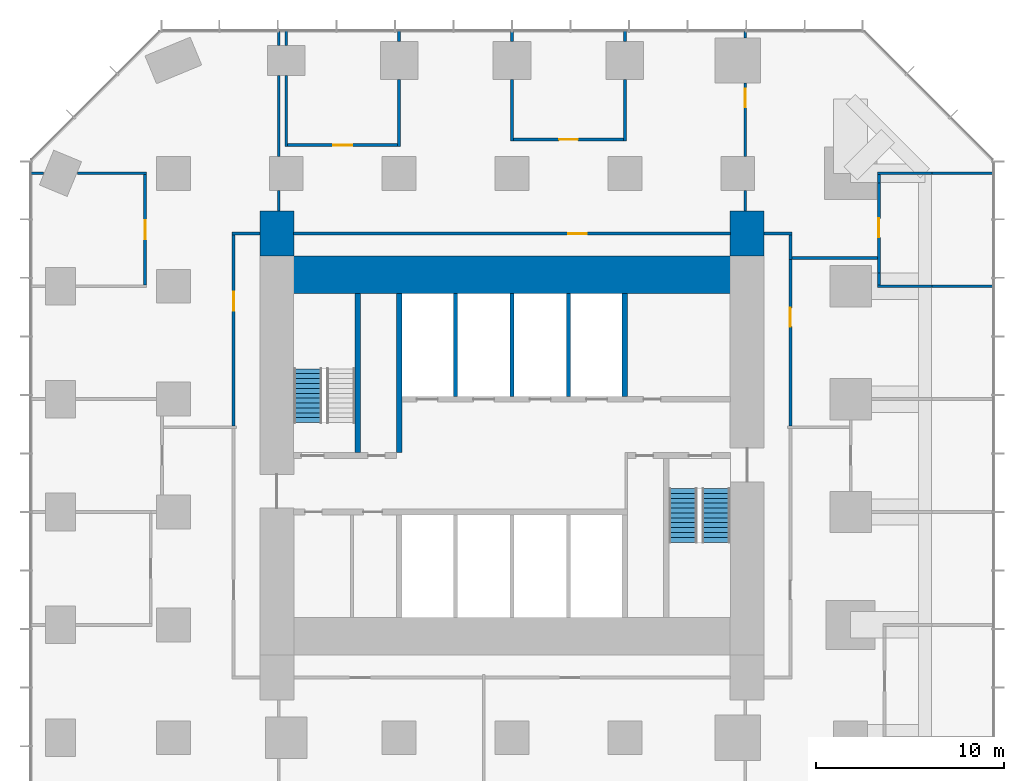
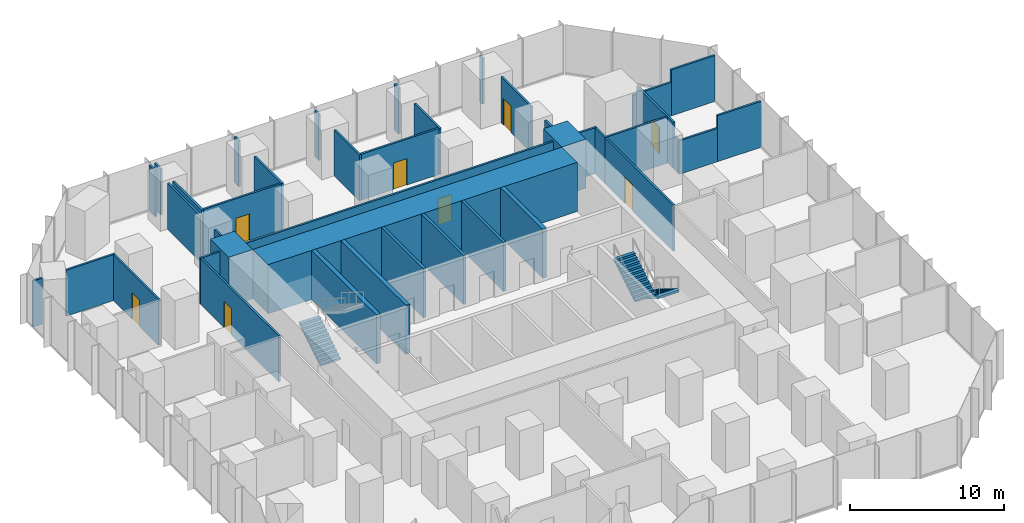
# One storey, part 10 of 12: 42 walls, 8 doors, 3 stair flights, 8 openings, 2 elements without a shape of their own.
"""IFC4 building model written with IfcOpenShell, lengths in metres."""

from ifc_helpers import new_model, si_unit, direction, frame, frame_2d, origin, place, context, subcontext, project, spatial, polyline, rectangle, outline, extrude, material, layer, layer_set, type_object, element, fill, aggregate, save


model = new_model("IFC4")

# Units and contexts
model_context = context("Model", 3, precision=1e-05, world=origin(), true_north=direction((0.0, 1.0)))
body_context = subcontext(model_context, "Body", "Model", "MODEL_VIEW")
ifc_project = project(units=[si_unit("LENGTHUNIT", "METRE"), si_unit("AREAUNIT", "SQUARE_METRE"), si_unit("VOLUMEUNIT", "CUBIC_METRE"), si_unit("PLANEANGLEUNIT", "RADIAN"), si_unit("MASSUNIT", "GRAM", prefix="KILO")], contexts=[model_context])

# Site, building, storey
site_placement = place(None, origin())
site = spatial("IfcSite", under=ifc_project, at=site_placement, CompositionType="ELEMENT")
building_placement = place(site_placement, origin())
building = spatial("IfcBuilding", under=site, at=building_placement, Name="Highveld Stack Headquarters", CompositionType="ELEMENT")
storey_placement = place(building_placement, frame((0.0, 0.0, 45.5)))
storey = spatial("IfcBuildingStorey", under=building, at=storey_placement, Name="L10", CompositionType="ELEMENT", Elevation=45.5)

# Walls
ifc_material_1 = material(Name="Concrete C60/75", Category="concrete")
ifc_layer_1 = layer(ifc_material_1, 2.0)
ifc_layer_set_1 = layer_set([ifc_layer_1], Name="Concrete C60/75")
wall_type_1 = type_object("IfcWallType", Name="CORE WALL 2000 C60/75", PredefinedType="SHEAR", material=ifc_layer_set_1)
wall_1_placement = place(storey_placement, frame((-5.60009765625, 12.60009765625, 0.0), z_axis=(0.0, 0.0, 1.0), x_axis=(1.0, 0.0, 0.0)))
element("IfcWall", 1, at=wall_1_placement, inside=storey, type_object=wall_type_1, Name="Core wall N L10", PredefinedType="SHEAR", context=body_context, shape_type="SweptSolid", body=[
    extrude(rectangle(XDim=23.2001953125, YDim=2.0, at=frame_2d((11.60009765625, 0.0))), origin(), (0.0, 0.0, 1.0), 3.89990234375),
])
ifc_material_2 = material(Name="Concrete C60/75", Category="concrete")
ifc_layer_2 = layer(ifc_material_2, 0.300048828125)
ifc_layer_set_2 = layer_set([ifc_layer_2], Name="Concrete C60/75")
wall_type_2 = type_object("IfcWallType", Name="CORE WALL 300 C60/75", PredefinedType="SHEAR", material=ifc_layer_set_2)
wall_2_placement = place(storey_placement, frame((0.0, 3.14990234375, 0.0), z_axis=(0.0, 0.0, 1.0), x_axis=(0.0, 1.0, 0.0)))
element("IfcWall", 2, at=wall_2_placement, inside=storey, type_object=wall_type_2, Name="Core wall I-X0N L10", PredefinedType="SHEAR", context=body_context, shape_type="SweptSolid", body=[
    extrude(rectangle(XDim=8.4501953125, YDim=0.300048828125, at=frame_2d((4.22509765625, 0.0))), origin(), (0.0, 0.0, 1.0), 3.89990234375),
])
wall_3_placement = place(storey_placement, frame((12.0, 6.14990234375, 0.0), z_axis=(0.0, 0.0, 1.0), x_axis=(0.0, 1.0, 0.0)))
element("IfcWall", 3, at=wall_3_placement, inside=storey, type_object=wall_type_2, Name="Core wall I-X12N L10", PredefinedType="SHEAR", context=body_context, shape_type="SweptSolid", body=[
    extrude(rectangle(XDim=5.4501953125, YDim=0.300048828125, at=frame_2d((2.72509765625, 0.0))), origin(), (0.0, 0.0, 1.0), 3.89990234375),
])
wall_4_placement = place(storey_placement, frame((-2.199951171875, 3.14990234375, 0.0), z_axis=(0.0, 0.0, 1.0), x_axis=(0.0, 1.0, 0.0)))
element("IfcWall", 4, at=wall_4_placement, inside=storey, type_object=wall_type_2, Name="Core wall I-RW L10", PredefinedType="SHEAR", context=body_context, shape_type="SweptSolid", body=[
    extrude(rectangle(XDim=8.4501953125, YDim=0.300048828125, at=frame_2d((4.22509765625, 0.0))), origin(), (0.0, 0.0, 1.0), 3.89990234375),
])
ifc_material_3 = material(Name="Concrete C60/75", Category="concrete")
ifc_layer_3 = layer(ifc_material_3, 1.800048828125)
ifc_layer_set_3 = layer_set([ifc_layer_3], Name="Concrete C60/75")
wall_type_3 = type_object("IfcWallType", Name="CORE WING WALL 1800 C60/75", PredefinedType="SHEAR", material=ifc_layer_set_3)
for number, where, z_axis, x_axis, name in (
    (5, (-6.5, 13.60009765625, 0.0), (0.0, 0.0, 1.0), (0.0, 1.0, 0.0), "Core wing wall WN L10"),
    (6, (18.5, 13.60009765625, 0.0), (0.0, 0.0, 1.0), (0.0, 1.0, 0.0), "Core wing wall EN L10"),
):
    element("IfcWall", number, at=place(storey_placement, frame(where, z_axis=z_axis, x_axis=x_axis)), inside=storey, type_object=wall_type_3, Name=name, PredefinedType="SHEAR", context=body_context, shape_type="SweptSolid", body=[
        extrude(rectangle(XDim=2.39990234375, YDim=1.800048828125, at=frame_2d((1.199951171875, 0.0))), origin(), (0.0, 0.0, 1.0), 3.89990234375),
    ])
ifc_material_4 = material(Name="Concrete blockwork, fair-faced", Category="masonry")
ifc_layer_4 = layer(ifc_material_4, 0.199951171875)
ifc_layer_set_4 = layer_set([ifc_layer_4], Name="Concrete blockwork, fair-faced")
wall_type_4 = type_object("IfcWallType", Name="LIFT SHAFT ENCLOSURE WALL 200 BLOCKWORK", PredefinedType="SOLIDWALL", material=ifc_layer_set_4)
for number, where, z_axis, x_axis, name in (
    (7, (3.0, 6.14990234375, 0.0), (0.0, 0.0, 1.0), (0.0, 1.0, 0.0), "Lift shaft wall L10"),
    (8, (6.0, 6.14990234375, 0.0), (0.0, 0.0, 1.0), (0.0, 1.0, 0.0), "Lift shaft wall L10"),
    (9, (9.0, 6.14990234375, 0.0), (0.0, 0.0, 1.0), (0.0, 1.0, 0.0), "Lift shaft wall L10"),
):
    element("IfcWall", number, at=place(storey_placement, frame(where, z_axis=z_axis, x_axis=x_axis)), inside=storey, type_object=wall_type_4, Name=name, PredefinedType="SOLIDWALL", context=body_context, shape_type="SweptSolid", body=[
        extrude(rectangle(XDim=5.4501953125, YDim=0.199951171875, at=frame_2d((2.72509765625, 0.0))), origin(), (0.0, 0.0, 1.0), 3.89990234375),
    ])
ifc_material_5 = material(Name="Gypsum plasterboard on steel studs", Category="steel")
ifc_layer_5 = layer(ifc_material_5, 0.14990234375)
ifc_layer_set_5 = layer_set([ifc_layer_5], Name="Gypsum plasterboard on steel studs")
wall_type_5 = type_object("IfcWallType", Name="PARTITION 150 PLASTERBOARD", PredefinedType="PARTITIONING", material=ifc_layer_set_5)
wall_5_placement = place(storey_placement, frame((25.425048828125, 12.0, 0.0), z_axis=(0.0, 0.0, 1.0), x_axis=(1.0, 0.0, 0.0)))
element("IfcWall", 10, at=wall_5_placement, inside=storey, type_object=wall_type_5, Name="Partition Quiet room L10", PredefinedType="PARTITIONING", context=body_context, shape_type="SweptSolid", body=[
    extrude(rectangle(XDim=2.885009765625, YDim=0.14990234375, at=frame_2d((1.4423828125, 0.0))), origin(), (0.0, 0.0, 1.0), 2.64990234375),
])
wall_6_placement = place(storey_placement, frame((28.31005859375, 12.0, 0.0), z_axis=(0.0, 0.0, 1.0), x_axis=(1.0, 0.0, 0.0)))
element("IfcWall", 11, at=wall_6_placement, inside=storey, type_object=wall_type_5, Name="Partition Quiet room L10", PredefinedType="PARTITIONING", context=body_context, shape_type="SweptSolid", body=[
    extrude(rectangle(XDim=3.2900390625, YDim=0.14990234375, at=frame_2d((1.64501953125, 0.0))), origin(), (0.0, 0.0, 1.0), 3.64990234375),
])
wall_7_placement = place(storey_placement, frame((-19.60009765625, 18.0, 0.0), z_axis=(0.0, 0.0, 1.0), x_axis=(1.0, 0.0, 0.0)))
element("IfcWall", 12, at=wall_7_placement, inside=storey, type_object=wall_type_5, Name="Partition Quiet room L10", PredefinedType="PARTITIONING", context=body_context, shape_type="SweptSolid", body=[
    extrude(rectangle(XDim=0.703125, YDim=0.14990234375, at=frame_2d((0.3515625, 0.0))), origin(), (0.0, 0.0, 1.0), 3.64990234375),
])
wall_8_placement = place(storey_placement, frame((-17.10302734375, 18.0, 0.0), z_axis=(0.0, 0.0, 1.0), x_axis=(1.0, 0.0, 0.0)))
element("IfcWall", 13, at=wall_8_placement, inside=storey, type_object=wall_type_5, Name="Partition Quiet room L10", PredefinedType="PARTITIONING", context=body_context, shape_type="SweptSolid", body=[
    extrude(rectangle(XDim=3.677978515625, YDim=0.14990234375, at=frame_2d((1.8388671875, 0.0))), origin(), (0.0, 0.0, 1.0), 3.64990234375),
])
wall_9_placement = place(storey_placement, frame((25.425048828125, 18.0, 0.0), z_axis=(0.0, 0.0, 1.0), x_axis=(1.0, 0.0, 0.0)))
element("IfcWall", 14, at=wall_9_placement, inside=storey, type_object=wall_type_5, Name="Partition Quiet room L10", PredefinedType="PARTITIONING", context=body_context, shape_type="SweptSolid", body=[
    extrude(rectangle(XDim=2.885009765625, YDim=0.14990234375, at=frame_2d((1.4423828125, 0.0))), origin(), (0.0, 0.0, 1.0), 2.64990234375),
])
wall_10_placement = place(storey_placement, frame((28.31005859375, 18.0, 0.0), z_axis=(0.0, 0.0, 1.0), x_axis=(1.0, 0.0, 0.0)))
element("IfcWall", 15, at=wall_10_placement, inside=storey, type_object=wall_type_5, Name="Partition Quiet room L10", PredefinedType="PARTITIONING", context=body_context, shape_type="SweptSolid", body=[
    extrude(rectangle(XDim=3.2900390625, YDim=0.14990234375, at=frame_2d((1.64501953125, 0.0))), origin(), (0.0, 0.0, 1.0), 3.64990234375),
])

# Wall, opening, door
wall_11_placement = place(storey_placement, frame((-5.925048828125, 19.5, 0.0), z_axis=(0.0, 0.0, 1.0), x_axis=(1.0, 0.0, 0.0)))
wall_11 = element("IfcWall", 16, at=wall_11_placement, inside=storey, type_object=wall_type_5, Name="Partition Quiet room L10", PredefinedType="PARTITIONING", context=body_context, shape_type="SweptSolid", body=[
    extrude(rectangle(XDim=5.85009765625, YDim=0.14990234375, at=frame_2d((2.925048828125, 0.0))), origin(), (0.0, 0.0, 1.0), 3.64990234375),
])
opening_1_placement = place(wall_11_placement, frame((2.425048828125, 0.0, 0.0)))
opening_1 = element("IfcOpeningElement", 17, at=opening_1_placement, cuts=wall_11, Name="Opening L10-19", PredefinedType="OPENING", context=body_context, shape_type="SweptSolid", body=[
    extrude(rectangle(XDim=1.0, YDim=2.10009765625, at=frame_2d((0.5, 1.050048828125))), frame((0.0, 0.0849609375, 0.0), z_axis=(0.0, -1.0, 0.0), x_axis=(1.0, 0.0, 0.0)), (0.0, 0.0, 1.0), 0.169921875),
])
ifc_material_6 = material(Name="Timber door, oiled ash", Category="wood")
door_type = type_object("IfcDoorType", Name="ROOM DOOR D6 1000x2100", OperationType="SINGLE_SWING_LEFT", PredefinedType="DOOR", material=ifc_material_6)
door_1_placement = place(opening_1_placement, origin())
door_1 = element("IfcDoor", 18, at=door_1_placement, inside=storey, type_object=door_type, Name="Quiet room door 1 L10", OperationType="SINGLE_SWING_LEFT", OverallHeight=2.10009765625, OverallWidth=1.0, PredefinedType="DOOR", context=body_context, shape_type="SweptSolid", body=[
    extrude(rectangle(XDim=1.0, YDim=2.10009765625, at=frame_2d((0.5, 1.050048828125))), frame((0.0, 0.02490234375, 0.0), z_axis=(0.0, -1.0, 0.0), x_axis=(1.0, 0.0, 0.0)), (0.0, 0.0, 1.0), 0.050048828125),
])
fill(opening_1, door_1)

wall_12_placement = place(storey_placement, frame((6.074951171875, 19.800048828125, 0.0), z_axis=(0.0, 0.0, 1.0), x_axis=(1.0, 0.0, 0.0)))
wall_12 = element("IfcWall", 19, at=wall_12_placement, inside=storey, type_object=wall_type_5, Name="Partition Print room L10", PredefinedType="PARTITIONING", context=body_context, shape_type="SweptSolid", body=[
    extrude(rectangle(XDim=5.85009765625, YDim=0.14990234375, at=frame_2d((2.925048828125, 0.0))), origin(), (0.0, 0.0, 1.0), 3.64990234375),
])
opening_2_placement = place(wall_12_placement, frame((2.425048828125, 0.0, 0.0)))
opening_2 = element("IfcOpeningElement", 20, at=opening_2_placement, cuts=wall_12, Name="Opening L10-20", PredefinedType="OPENING", context=body_context, shape_type="SweptSolid", body=[
    extrude(rectangle(XDim=1.0, YDim=2.10009765625, at=frame_2d((0.5, 1.050048828125))), frame((0.0, 0.0849609375, 0.0), z_axis=(0.0, -1.0, 0.0), x_axis=(1.0, 0.0, 0.0)), (0.0, 0.0, 1.0), 0.169921875),
])
door_2_placement = place(opening_2_placement, origin())
door_2 = element("IfcDoor", 21, at=door_2_placement, inside=storey, type_object=door_type, Name="Print room door 1 L10", OperationType="SINGLE_SWING_LEFT", OverallHeight=2.10009765625, OverallWidth=1.0, PredefinedType="DOOR", context=body_context, shape_type="SweptSolid", body=[
    extrude(rectangle(XDim=1.0, YDim=2.10009765625, at=frame_2d((0.5, 1.050048828125))), frame((0.0, 0.02490234375, 0.0), z_axis=(0.0, -1.0, 0.0), x_axis=(1.0, 0.0, 0.0)), (0.0, 0.0, 1.0), 0.050048828125),
])
fill(opening_2, door_2)

wall_13_placement = place(storey_placement, frame((-13.5, 12.074951171875, 0.0), z_axis=(0.0, 0.0, 1.0), x_axis=(0.0, 1.0, 0.0)))
wall_13 = element("IfcWall", 22, at=wall_13_placement, inside=storey, type_object=wall_type_5, Name="Partition Quiet room L10", PredefinedType="PARTITIONING", context=body_context, shape_type="SweptSolid", body=[
    extrude(rectangle(XDim=5.85009765625, YDim=0.14990234375, at=frame_2d((2.925048828125, 0.0))), origin(), (0.0, 0.0, 1.0), 3.64990234375),
])
opening_3_placement = place(wall_13_placement, frame((2.425048828125, 0.0, 0.0)))
opening_3 = element("IfcOpeningElement", 23, at=opening_3_placement, cuts=wall_13, Name="Opening L10-15", PredefinedType="OPENING", context=body_context, shape_type="SweptSolid", body=[
    extrude(rectangle(XDim=1.0, YDim=2.10009765625, at=frame_2d((0.5, 1.050048828125))), frame((0.0, 0.0849609375, 0.0), z_axis=(0.0, -1.0, 0.0), x_axis=(1.0, 0.0, 0.0)), (0.0, 0.0, 1.0), 0.169921875),
])
door_3_placement = place(opening_3_placement, origin())
door_3 = element("IfcDoor", 24, at=door_3_placement, inside=storey, type_object=door_type, Name="Quiet room door 1 L10", OperationType="SINGLE_SWING_LEFT", OverallHeight=2.10009765625, OverallWidth=1.0, PredefinedType="DOOR", context=body_context, shape_type="SweptSolid", body=[
    extrude(rectangle(XDim=1.0, YDim=2.10009765625, at=frame_2d((0.5, 1.050048828125))), frame((0.0, 0.02490234375, 0.0), z_axis=(0.0, -1.0, 0.0), x_axis=(1.0, 0.0, 0.0)), (0.0, 0.0, 1.0), 0.050048828125),
])
fill(opening_3, door_3)

# Walls
wall_14_placement = place(storey_placement, frame((-6.0, 19.425048828125, 0.0), z_axis=(0.0, 0.0, 1.0), x_axis=(0.0, 1.0, 0.0)))
element("IfcWall", 25, at=wall_14_placement, inside=storey, type_object=wall_type_5, Name="Partition Quiet room L10", PredefinedType="PARTITIONING", context=body_context, shape_type="SweptSolid", body=[
    extrude(rectangle(XDim=3.77490234375, YDim=0.14990234375, at=frame_2d((1.887451171875, 0.0))), origin(), (0.0, 0.0, 1.0), 3.64990234375),
])
wall_15_placement = place(storey_placement, frame((-6.0, 24.800048828125, 0.0), z_axis=(0.0, 0.0, 1.0), x_axis=(0.0, 1.0, 0.0)))
element("IfcWall", 26, at=wall_15_placement, inside=storey, type_object=wall_type_5, Name="Partition Quiet room L10", PredefinedType="PARTITIONING", context=body_context, shape_type="SweptSolid", body=[
    extrude(rectangle(XDim=0.800048828125, YDim=0.14990234375, at=frame_2d((0.39990234375, 0.0))), origin(), (0.0, 0.0, 1.0), 3.64990234375),
])
wall_16_placement = place(storey_placement, frame((0.0, 19.425048828125, 0.0), z_axis=(0.0, 0.0, 1.0), x_axis=(0.0, 1.0, 0.0)))
element("IfcWall", 27, at=wall_16_placement, inside=storey, type_object=wall_type_5, Name="Partition Quiet room L10", PredefinedType="PARTITIONING", context=body_context, shape_type="SweptSolid", body=[
    extrude(rectangle(XDim=3.574951171875, YDim=0.14990234375, at=frame_2d((1.78759765625, 0.0))), origin(), (0.0, 0.0, 1.0), 3.64990234375),
])
wall_17_placement = place(storey_placement, frame((0.0, 25.0, 0.0), z_axis=(0.0, 0.0, 1.0), x_axis=(0.0, 1.0, 0.0)))
element("IfcWall", 28, at=wall_17_placement, inside=storey, type_object=wall_type_5, Name="Partition Quiet room L10", PredefinedType="PARTITIONING", context=body_context, shape_type="SweptSolid", body=[
    extrude(rectangle(XDim=0.60009765625, YDim=0.14990234375, at=frame_2d((0.300048828125, 0.0))), origin(), (0.0, 0.0, 1.0), 3.64990234375),
])
wall_18_placement = place(storey_placement, frame((6.0, 19.72509765625, 0.0), z_axis=(0.0, 0.0, 1.0), x_axis=(0.0, 1.0, 0.0)))
element("IfcWall", 29, at=wall_18_placement, inside=storey, type_object=wall_type_5, Name="Partition Print room L10", PredefinedType="PARTITIONING", context=body_context, shape_type="SweptSolid", body=[
    extrude(rectangle(XDim=3.27490234375, YDim=0.14990234375, at=frame_2d((1.637451171875, 0.0))), origin(), (0.0, 0.0, 1.0), 3.64990234375),
])
wall_19_placement = place(storey_placement, frame((6.0, 25.0, 0.0), z_axis=(0.0, 0.0, 1.0), x_axis=(0.0, 1.0, 0.0)))
element("IfcWall", 30, at=wall_19_placement, inside=storey, type_object=wall_type_5, Name="Partition Print room L10", PredefinedType="PARTITIONING", context=body_context, shape_type="SweptSolid", body=[
    extrude(rectangle(XDim=0.550048828125, YDim=0.14990234375, at=frame_2d((0.27490234375, 0.0))), origin(), (0.0, 0.0, 1.0), 3.64990234375),
])
wall_20_placement = place(storey_placement, frame((12.0, 19.72509765625, 0.0), z_axis=(0.0, 0.0, 1.0), x_axis=(0.0, 1.0, 0.0)))
element("IfcWall", 31, at=wall_20_placement, inside=storey, type_object=wall_type_5, Name="Partition Print room L10", PredefinedType="PARTITIONING", context=body_context, shape_type="SweptSolid", body=[
    extrude(rectangle(XDim=3.27490234375, YDim=0.14990234375, at=frame_2d((1.637451171875, 0.0))), origin(), (0.0, 0.0, 1.0), 3.64990234375),
])
wall_21_placement = place(storey_placement, frame((12.0, 25.0, 0.0), z_axis=(0.0, 0.0, 1.0), x_axis=(0.0, 1.0, 0.0)))
element("IfcWall", 32, at=wall_21_placement, inside=storey, type_object=wall_type_5, Name="Partition Print room L10", PredefinedType="PARTITIONING", context=body_context, shape_type="SweptSolid", body=[
    extrude(rectangle(XDim=0.60009765625, YDim=0.14990234375, at=frame_2d((0.300048828125, 0.0))), origin(), (0.0, 0.0, 1.0), 3.64990234375),
])
wall_22_placement = place(storey_placement, frame((25.5, 12.074951171875, 0.0), z_axis=(0.0, 0.0, 1.0), x_axis=(0.0, 1.0, 0.0)))
element("IfcWall", 33, at=wall_22_placement, inside=storey, type_object=wall_type_5, Name="Partition Quiet room L10", PredefinedType="PARTITIONING", context=body_context, shape_type="SweptSolid", body=[
    extrude(rectangle(XDim=0.635009765625, YDim=0.14990234375, at=frame_2d((0.3173828125, 0.0))), origin(), (0.0, 0.0, 1.0), 2.64990234375),
])

# Wall, opening, door
wall_23_placement = place(storey_placement, frame((25.5, 12.7099609375, 0.0), z_axis=(0.0, 0.0, 1.0), x_axis=(0.0, 1.0, 0.0)))
wall_23 = element("IfcWall", 34, at=wall_23_placement, inside=storey, type_object=wall_type_5, Name="Partition Quiet room L10", PredefinedType="PARTITIONING", context=body_context, shape_type="SweptSolid", body=[
    extrude(rectangle(XDim=4.780029296875, YDim=0.14990234375, at=frame_2d((2.39013671875, 0.0))), origin(), (0.0, 0.0, 1.0), 3.64990234375),
])
opening_4_placement = place(wall_23_placement, frame((1.889892578125, 0.0, 0.0)))
opening_4 = element("IfcOpeningElement", 35, at=opening_4_placement, cuts=wall_23, Name="Opening L10-18", PredefinedType="OPENING", context=body_context, shape_type="SweptSolid", body=[
    extrude(rectangle(XDim=1.0, YDim=2.10009765625, at=frame_2d((0.5, 1.050048828125))), frame((0.0, 0.0849609375, 0.0), z_axis=(0.0, -1.0, 0.0), x_axis=(1.0, 0.0, 0.0)), (0.0, 0.0, 1.0), 0.169921875),
])
door_4_placement = place(opening_4_placement, origin())
door_4 = element("IfcDoor", 36, at=door_4_placement, inside=storey, type_object=door_type, Name="Quiet room door 1 L10", OperationType="SINGLE_SWING_RIGHT", OverallHeight=2.10009765625, OverallWidth=1.0, PredefinedType="DOOR", context=body_context, shape_type="SweptSolid", body=[
    extrude(rectangle(XDim=1.0, YDim=2.10009765625, at=frame_2d((0.5, 1.050048828125))), frame((0.0, 0.02490234375, 0.0), z_axis=(0.0, -1.0, 0.0), x_axis=(1.0, 0.0, 0.0)), (0.0, 0.0, 1.0), 0.050048828125),
])
fill(opening_4, door_4)

# Wall
wall_24_placement = place(storey_placement, frame((25.5, 17.489990234375, 0.0), z_axis=(0.0, 0.0, 1.0), x_axis=(0.0, 1.0, 0.0)))
element("IfcWall", 37, at=wall_24_placement, inside=storey, type_object=wall_type_5, Name="Partition Quiet room L10", PredefinedType="PARTITIONING", context=body_context, shape_type="SweptSolid", body=[
    extrude(rectangle(XDim=0.43505859375, YDim=0.14990234375, at=frame_2d((0.217529296875, 0.0))), origin(), (0.0, 0.0, 1.0), 2.64990234375),
])

# Wall, opening, door
wall_25_placement = place(storey_placement, frame((-8.800048828125, 4.574951171875, 0.0), z_axis=(0.0, 0.0, 1.0), x_axis=(0.0, 1.0, 0.0)))
wall_25 = element("IfcWall", 38, at=wall_25_placement, inside=storey, type_object=wall_type_5, Name="Partition office neighbourhood L10", PredefinedType="PARTITIONING", context=body_context, shape_type="SweptSolid", body=[
    extrude(rectangle(XDim=10.150146484375, YDim=0.14990234375, at=frame_2d((5.0751953125, 0.0))), origin(), (0.0, 0.0, 1.0), 3.64990234375),
])
opening_5_placement = place(wall_25_placement, frame((6.1201171875, 0.0, 0.0)))
opening_5 = element("IfcOpeningElement", 39, at=opening_5_placement, cuts=wall_25, Name="Opening L10-26", PredefinedType="OPENING", context=body_context, shape_type="SweptSolid", body=[
    extrude(rectangle(XDim=1.0, YDim=2.10009765625, at=frame_2d((0.5, 1.050048828125))), frame((0.0, 0.0849609375, 0.0), z_axis=(0.0, -1.0, 0.0), x_axis=(1.0, 0.0, 0.0)), (0.0, 0.0, 1.0), 0.169921875),
])
door_5_placement = place(opening_5_placement, origin())
door_5 = element("IfcDoor", 40, at=door_5_placement, inside=storey, type_object=door_type, Name="Office neighbourhood door L10", OperationType="SINGLE_SWING_RIGHT", OverallHeight=2.10009765625, OverallWidth=1.0, PredefinedType="DOOR", context=body_context, shape_type="SweptSolid", body=[
    extrude(rectangle(XDim=1.0, YDim=2.10009765625, at=frame_2d((0.5, 1.050048828125))), frame((0.0, 0.02490234375, 0.0), z_axis=(0.0, -1.0, 0.0), x_axis=(1.0, 0.0, 0.0)), (0.0, 0.0, 1.0), 0.050048828125),
])
fill(opening_5, door_5)

# Walls
wall_26_placement = place(storey_placement, frame((-8.875, 14.800048828125, 0.0), z_axis=(0.0, 0.0, 1.0), x_axis=(1.0, 0.0, 0.0)))
element("IfcWall", 41, at=wall_26_placement, inside=storey, type_object=wall_type_5, Name="Partition office neighbourhood L10", PredefinedType="PARTITIONING", context=body_context, shape_type="SweptSolid", body=[
    extrude(rectangle(XDim=1.47509765625, YDim=0.14990234375, at=frame_2d((0.737548828125, 0.0))), origin(), (0.0, 0.0, 1.0), 3.64990234375),
])
wall_27_placement = place(storey_placement, frame((-6.39990234375, 16.0, 0.0), z_axis=(0.0, 0.0, 1.0), x_axis=(0.0, 1.0, 0.0)))
element("IfcWall", 42, at=wall_27_placement, inside=storey, type_object=wall_type_5, Name="Partition office neighbourhood L10", PredefinedType="PARTITIONING", context=body_context, shape_type="SweptSolid", body=[
    extrude(rectangle(XDim=1.10009765625, YDim=0.14990234375, at=frame_2d((0.550048828125, 0.0))), origin(), (0.0, 0.0, 1.0), 3.64990234375),
])
wall_28_placement = place(storey_placement, frame((-6.39990234375, 18.89990234375, 0.0), z_axis=(0.0, 0.0, 1.0), x_axis=(0.0, 1.0, 0.0)))
element("IfcWall", 43, at=wall_28_placement, inside=storey, type_object=wall_type_5, Name="Partition office neighbourhood L10", PredefinedType="PARTITIONING", context=body_context, shape_type="SweptSolid", body=[
    extrude(rectangle(XDim=4.300048828125, YDim=0.14990234375, at=frame_2d((2.14990234375, 0.0))), origin(), (0.0, 0.0, 1.0), 3.64990234375),
])
wall_29_placement = place(storey_placement, frame((-6.39990234375, 24.800048828125, 0.0), z_axis=(0.0, 0.0, 1.0), x_axis=(0.0, 1.0, 0.0)))
element("IfcWall", 44, at=wall_29_placement, inside=storey, type_object=wall_type_5, Name="Partition office neighbourhood L10", PredefinedType="PARTITIONING", context=body_context, shape_type="SweptSolid", body=[
    extrude(rectangle(XDim=0.75, YDim=0.14990234375, at=frame_2d((0.375, 0.0))), origin(), (0.0, 0.0, 1.0), 3.64990234375),
])

# Wall, opening, door
wall_30_placement = place(storey_placement, frame((-5.60009765625, 14.800048828125, 0.0), z_axis=(0.0, 0.0, 1.0), x_axis=(1.0, 0.0, 0.0)))
wall_30 = element("IfcWall", 45, at=wall_30_placement, inside=storey, type_object=wall_type_5, Name="Partition office neighbourhood L10", PredefinedType="PARTITIONING", context=body_context, shape_type="SweptSolid", body=[
    extrude(rectangle(XDim=23.2001953125, YDim=0.14990234375, at=frame_2d((11.60009765625, 0.0))), origin(), (0.0, 0.0, 1.0), 3.64990234375),
])
opening_6_placement = place(wall_30_placement, frame((14.580078125, 0.0, 0.0)))
opening_6 = element("IfcOpeningElement", 46, at=opening_6_placement, cuts=wall_30, Name="Opening L10-27", PredefinedType="OPENING", context=body_context, shape_type="SweptSolid", body=[
    extrude(rectangle(XDim=1.0, YDim=2.10009765625, at=frame_2d((0.5, 1.050048828125))), frame((0.0, 0.0849609375, 0.0), z_axis=(0.0, -1.0, 0.0), x_axis=(1.0, 0.0, 0.0)), (0.0, 0.0, 1.0), 0.169921875),
])
door_6_placement = place(opening_6_placement, origin())
door_6 = element("IfcDoor", 47, at=door_6_placement, inside=storey, type_object=door_type, Name="Office neighbourhood door L10", OperationType="SINGLE_SWING_RIGHT", OverallHeight=2.10009765625, OverallWidth=1.0, PredefinedType="DOOR", context=body_context, shape_type="SweptSolid", body=[
    extrude(rectangle(XDim=1.0, YDim=2.10009765625, at=frame_2d((0.5, 1.050048828125))), frame((0.0, 0.02490234375, 0.0), z_axis=(0.0, -1.0, 0.0), x_axis=(1.0, 0.0, 0.0)), (0.0, 0.0, 1.0), 0.050048828125),
])
fill(opening_6, door_6)

# Wall
wall_31_placement = place(storey_placement, frame((18.39990234375, 16.0, 0.0), z_axis=(0.0, 0.0, 1.0), x_axis=(0.0, 1.0, 0.0)))
element("IfcWall", 48, at=wall_31_placement, inside=storey, type_object=wall_type_5, Name="Partition office neighbourhood L10", PredefinedType="PARTITIONING", context=body_context, shape_type="SweptSolid", body=[
    extrude(rectangle(XDim=1.10009765625, YDim=0.14990234375, at=frame_2d((0.550048828125, 0.0))), origin(), (0.0, 0.0, 1.0), 3.64990234375),
])

# Wall, opening, door
wall_32_placement = place(storey_placement, frame((18.39990234375, 18.89990234375, 0.0), z_axis=(0.0, 0.0, 1.0), x_axis=(0.0, 1.0, 0.0)))
wall_32 = element("IfcWall", 49, at=wall_32_placement, inside=storey, type_object=wall_type_5, Name="Partition office neighbourhood L10", PredefinedType="PARTITIONING", context=body_context, shape_type="SweptSolid", body=[
    extrude(rectangle(XDim=3.900146484375, YDim=0.14990234375, at=frame_2d((1.9501953125, 0.0))), origin(), (0.0, 0.0, 1.0), 3.64990234375),
])
opening_7_placement = place(wall_32_placement, frame((2.60009765625, 0.0, 0.0)))
opening_7 = element("IfcOpeningElement", 50, at=opening_7_placement, cuts=wall_32, Name="Opening L10-28", PredefinedType="OPENING", context=body_context, shape_type="SweptSolid", body=[
    extrude(rectangle(XDim=1.0, YDim=2.10009765625, at=frame_2d((0.5, 1.050048828125))), frame((0.0, 0.0849609375, 0.0), z_axis=(0.0, -1.0, 0.0), x_axis=(1.0, 0.0, 0.0)), (0.0, 0.0, 1.0), 0.169921875),
])
door_7_placement = place(opening_7_placement, origin())
door_7 = element("IfcDoor", 51, at=door_7_placement, inside=storey, type_object=door_type, Name="Office neighbourhood door L10", OperationType="SINGLE_SWING_RIGHT", OverallHeight=2.10009765625, OverallWidth=1.0, PredefinedType="DOOR", context=body_context, shape_type="SweptSolid", body=[
    extrude(rectangle(XDim=1.0, YDim=2.10009765625, at=frame_2d((0.5, 1.050048828125))), frame((0.0, 0.02490234375, 0.0), z_axis=(0.0, -1.0, 0.0), x_axis=(1.0, 0.0, 0.0)), (0.0, 0.0, 1.0), 0.050048828125),
])
fill(opening_7, door_7)

# Walls
wall_33_placement = place(storey_placement, frame((18.39990234375, 25.199951171875, 0.0), z_axis=(0.0, 0.0, 1.0), x_axis=(0.0, 1.0, 0.0)))
element("IfcWall", 52, at=wall_33_placement, inside=storey, type_object=wall_type_5, Name="Partition office neighbourhood L10", PredefinedType="PARTITIONING", context=body_context, shape_type="SweptSolid", body=[
    extrude(rectangle(XDim=0.35009765625, YDim=0.14990234375, at=frame_2d((0.175048828125, 0.0))), origin(), (0.0, 0.0, 1.0), 3.64990234375),
])
wall_34_placement = place(storey_placement, frame((19.39990234375, 14.800048828125, 0.0), z_axis=(0.0, 0.0, 1.0), x_axis=(1.0, 0.0, 0.0)))
element("IfcWall", 53, at=wall_34_placement, inside=storey, type_object=wall_type_5, Name="Partition office neighbourhood L10", PredefinedType="PARTITIONING", context=body_context, shape_type="SweptSolid", body=[
    extrude(rectangle(XDim=1.47509765625, YDim=0.14990234375, at=frame_2d((0.737548828125, 0.0))), origin(), (0.0, 0.0, 1.0), 3.64990234375),
])

# Wall, opening, door
wall_35_placement = place(storey_placement, frame((20.800048828125, 4.574951171875, 0.0), z_axis=(0.0, 0.0, 1.0), x_axis=(0.0, 1.0, 0.0)))
wall_35 = element("IfcWall", 54, at=wall_35_placement, inside=storey, type_object=wall_type_5, Name="Partition office neighbourhood L10", PredefinedType="PARTITIONING", context=body_context, shape_type="SweptSolid", body=[
    extrude(rectangle(XDim=8.85009765625, YDim=0.14990234375, at=frame_2d((4.425048828125, 0.0))), origin(), (0.0, 0.0, 1.0), 3.64990234375),
])
opening_8_placement = place(wall_35_placement, frame((5.27490234375, 0.0, 0.0)))
opening_8 = element("IfcOpeningElement", 55, at=opening_8_placement, cuts=wall_35, Name="Opening L10-25", PredefinedType="OPENING", context=body_context, shape_type="SweptSolid", body=[
    extrude(rectangle(XDim=1.0, YDim=2.10009765625, at=frame_2d((0.5, 1.050048828125))), frame((0.0, 0.0849609375, 0.0), z_axis=(0.0, -1.0, 0.0), x_axis=(1.0, 0.0, 0.0)), (0.0, 0.0, 1.0), 0.169921875),
])
door_8_placement = place(opening_8_placement, origin())
door_8 = element("IfcDoor", 56, at=door_8_placement, inside=storey, type_object=door_type, Name="Office neighbourhood door L10", OperationType="SINGLE_SWING_RIGHT", OverallHeight=2.10009765625, OverallWidth=1.0, PredefinedType="DOOR", context=body_context, shape_type="SweptSolid", body=[
    extrude(rectangle(XDim=1.0, YDim=2.10009765625, at=frame_2d((0.5, 1.050048828125))), frame((0.0, 0.02490234375, 0.0), z_axis=(0.0, -1.0, 0.0), x_axis=(1.0, 0.0, 0.0)), (0.0, 0.0, 1.0), 0.050048828125),
])
fill(opening_8, door_8)

# Walls
wall_36_placement = place(storey_placement, frame((20.800048828125, 13.425048828125, 0.0), z_axis=(0.0, 0.0, 1.0), x_axis=(0.0, 1.0, 0.0)))
element("IfcWall", 57, at=wall_36_placement, inside=storey, type_object=wall_type_5, Name="Partition office neighbourhood L10", PredefinedType="PARTITIONING", context=body_context, shape_type="SweptSolid", body=[
    extrude(rectangle(XDim=1.300048828125, YDim=0.14990234375, at=frame_2d((0.64990234375, 0.0))), origin(), (0.0, 0.0, 1.0), 3.64990234375),
])
wall_37_placement = place(storey_placement, frame((20.800048828125, 13.5, 0.0), z_axis=(0.0, 0.0, 1.0), x_axis=(1.0, 0.0, 0.0)))
element("IfcWall", 58, at=wall_37_placement, inside=storey, type_object=wall_type_5, Name="Partition office neighbourhood L10", PredefinedType="PARTITIONING", context=body_context, shape_type="SweptSolid", body=[
    extrude(rectangle(XDim=4.625, YDim=0.14990234375, at=frame_2d((2.3125, 0.0))), origin(), (0.0, 0.0, 1.0), 3.64990234375),
])

# Stair, stair flight
ifc_material_7 = material(Name="Concrete C40/50, precast", Category="concrete")
stair_type_1 = type_object("IfcStairType", Name="STAIR S1 HALF TURN 1500", PredefinedType="HALF_TURN_STAIR", material=ifc_material_7)
stair_1_placement = place(storey_placement, origin())
stair_1 = element("IfcStair", 59, at=stair_1_placement, inside=storey, type_object=stair_type_1, Name="Stair S1 L10", PredefinedType="HALF_TURN_STAIR")
ifc_material_8 = material(Name="Concrete C40/50, precast", Category="concrete")
stair_flight_type = type_object("IfcStairFlightType", Name="STAIR FLIGHT 1500 PRECAST", PredefinedType="STRAIGHT", material=ifc_material_8)
stair_flight_1_placement = place(storey_placement, frame((-4.85009765625, 4.75, 0.0), z_axis=(0.0, 0.0, 1.0), x_axis=(0.0, 1.0, 0.0)))
stair_flight_1 = element("IfcStairFlight", 60, at=stair_flight_1_placement, type_object=stair_flight_type, Name="S1 flight 1", NumberOfRisers=12, NumberOfTreads=11, PredefinedType="STRAIGHT", RiserHeight=0.1625, TreadLength=0.26, context=body_context, shape_type="SweptSolid", body=[
    extrude(outline(polyline([(0.0, 0.0), (0.0, 0.16259765625), (0.260009765625, 0.16259765625), (0.260009765625, 0.324951171875), (0.52001953125, 0.324951171875), (0.52001953125, 0.487548828125), (0.780029296875, 0.487548828125), (0.780029296875, 0.64990234375), (1.0400390625, 0.64990234375), (1.0400390625, 0.8125), (1.300048828125, 0.8125), (1.300048828125, 0.97509765625), (1.56005859375, 0.97509765625), (1.56005859375, 1.137451171875), (1.820068359375, 1.137451171875), (1.820068359375, 1.300048828125), (2.080078125, 1.300048828125), (2.080078125, 1.46240234375), (2.340087890625, 1.46240234375), (2.340087890625, 1.625), (2.60009765625, 1.625), (2.60009765625, 1.78759765625), (2.860107421875, 1.78759765625), (2.860107421875, 1.949951171875), (2.860107421875, 1.61083984375), (0.28271484375, 0.0), (0.0, 0.0)])), frame((0.0, 0.75, 0.0), z_axis=(0.0, -1.0, 0.0), x_axis=(1.0, 0.0, 0.0)), (0.0, 0.0, 1.0), 1.5),
])
aggregate(stair_1, [stair_flight_1])

# Stair, stair flights
ifc_material_9 = material(Name="Concrete C40/50, precast", Category="concrete")
stair_type_2 = type_object("IfcStairType", Name="STAIR S2 HALF TURN 1500", PredefinedType="HALF_TURN_STAIR", material=ifc_material_9)
stair_2_placement = place(storey_placement, origin())
stair_2 = element("IfcStair", 61, at=stair_2_placement, inside=storey, type_object=stair_type_2, Name="Stair S2 L10", PredefinedType="HALF_TURN_STAIR")
stair_flight_2_placement = place(storey_placement, frame((16.85009765625, 1.25, 0.0), z_axis=(0.0, 0.0, 1.0), x_axis=(0.0, -1.0, 0.0)))
stair_flight_2 = element("IfcStairFlight", 62, at=stair_flight_2_placement, type_object=stair_flight_type, Name="S2 flight 1", NumberOfRisers=12, NumberOfTreads=11, PredefinedType="STRAIGHT", RiserHeight=0.1625, TreadLength=0.26, context=body_context, shape_type="SweptSolid", body=[
    extrude(outline(polyline([(0.0, 0.0), (0.0, 0.16259765625), (0.260009765625, 0.16259765625), (0.260009765625, 0.324951171875), (0.52001953125, 0.324951171875), (0.52001953125, 0.487548828125), (0.780029296875, 0.487548828125), (0.780029296875, 0.64990234375), (1.0400390625, 0.64990234375), (1.0400390625, 0.8125), (1.300048828125, 0.8125), (1.300048828125, 0.97509765625), (1.56005859375, 0.97509765625), (1.56005859375, 1.137451171875), (1.820068359375, 1.137451171875), (1.820068359375, 1.300048828125), (2.080078125, 1.300048828125), (2.080078125, 1.46240234375), (2.340087890625, 1.46240234375), (2.340087890625, 1.625), (2.60009765625, 1.625), (2.60009765625, 1.78759765625), (2.860107421875, 1.78759765625), (2.860107421875, 1.949951171875), (2.860107421875, 1.61083984375), (0.28271484375, 0.0), (0.0, 0.0)])), frame((0.0, 0.75, 0.0), z_axis=(0.0, -1.0, 0.0), x_axis=(1.0, 0.0, 0.0)), (0.0, 0.0, 1.0), 1.5),
])
stair_flight_3_placement = place(storey_placement, frame((15.10009765625, -1.610107421875, 1.949951171875), z_axis=(0.0, 0.0, 1.0), x_axis=(0.0, 1.0, 0.0)))
stair_flight_3 = element("IfcStairFlight", 63, at=stair_flight_3_placement, type_object=stair_flight_type, Name="S2 flight 2", NumberOfRisers=12, NumberOfTreads=11, PredefinedType="STRAIGHT", RiserHeight=0.1625, TreadLength=0.26, context=body_context, shape_type="SweptSolid", body=[
    extrude(outline(polyline([(0.0, 0.0), (0.0, 0.16259765625), (0.260009765625, 0.16259765625), (0.260009765625, 0.324951171875), (0.52001953125, 0.324951171875), (0.52001953125, 0.487548828125), (0.780029296875, 0.487548828125), (0.780029296875, 0.64990234375), (1.0400390625, 0.64990234375), (1.0400390625, 0.8125), (1.300048828125, 0.8125), (1.300048828125, 0.97509765625), (1.56005859375, 0.97509765625), (1.56005859375, 1.137451171875), (1.820068359375, 1.137451171875), (1.820068359375, 1.300048828125), (2.080078125, 1.300048828125), (2.080078125, 1.46240234375), (2.340087890625, 1.46240234375), (2.340087890625, 1.625), (2.60009765625, 1.625), (2.60009765625, 1.78759765625), (2.860107421875, 1.78759765625), (2.860107421875, 1.949951171875), (2.860107421875, 1.61083984375), (0.28271484375, 0.0), (0.0, 0.0)])), frame((0.0, 0.75, 0.0), z_axis=(0.0, -1.0, 0.0), x_axis=(1.0, 0.0, 0.0)), (0.0, 0.0, 1.0), 1.5),
])
aggregate(stair_2, [stair_flight_2, stair_flight_3])

save(model, "model.ifc")
